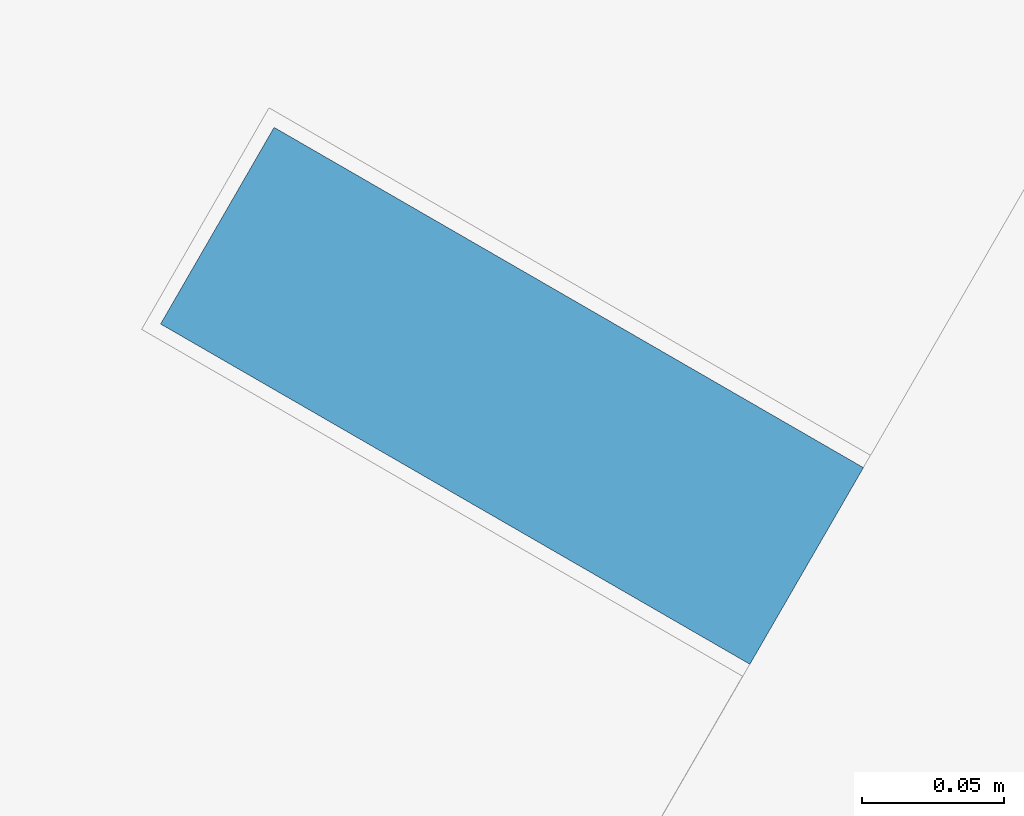
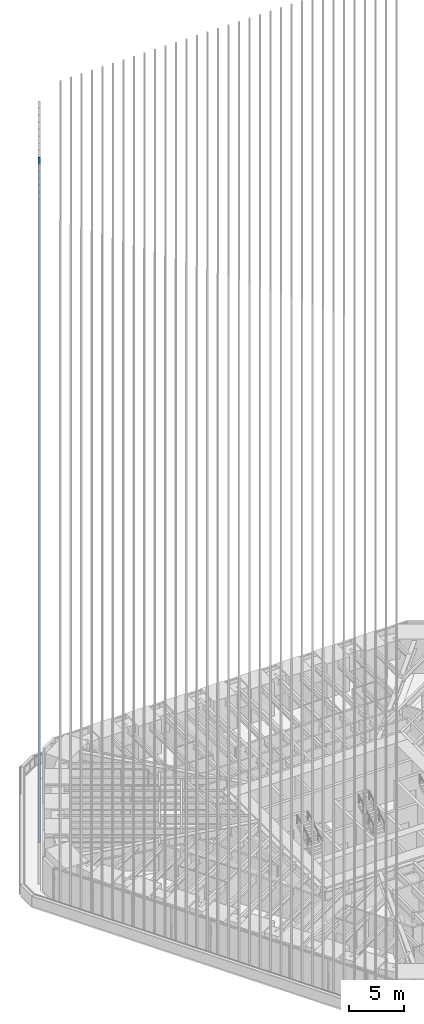
# One storey, part 134 of 238: 1 member, 1 element without a shape of its own.
"""IFC4 building model written with IfcOpenShell, lengths in metres."""

from ifc_helpers import new_model, si_unit, direction, frame, origin, origin_2d, place, context, subcontext, project, spatial, rectangle, extrude, material, material_profile, profile_set, type_object, element, aggregate, save


model = new_model("IFC4")

# Units and contexts
model_context = context("Model", 3, precision=1e-05, world=origin(), true_north=direction((0.0, 1.0)))
body_context = subcontext(model_context, "Body", "Model", "MODEL_VIEW")
ifc_project = project(units=[si_unit("LENGTHUNIT", "METRE"), si_unit("AREAUNIT", "SQUARE_METRE"), si_unit("VOLUMEUNIT", "CUBIC_METRE"), si_unit("PLANEANGLEUNIT", "RADIAN"), si_unit("MASSUNIT", "GRAM", prefix="KILO")], contexts=[model_context])

# Site, building, storey
site_placement = place(None, origin())
site = spatial("IfcSite", under=ifc_project, at=site_placement, CompositionType="ELEMENT")
building_placement = place(site_placement, origin())
building = spatial("IfcBuilding", under=site, at=building_placement, Name="Sandreach Pilgrim Tower", CompositionType="ELEMENT")
storey_placement = place(building_placement, frame((0.0, 0.0, 96.800048828125)))
storey = spatial("IfcBuildingStorey", under=building, at=storey_placement, Name="L23", CompositionType="ELEMENT", Elevation=96.800048828125)

# Curtain wall, member
ifc_material_1 = material(Name="Aluminium framed curtain wall", Category="aluminium")
curtain_wall_type = type_object("IfcCurtainWallType", Name="Hotel tower curtain wall", PredefinedType="NOTDEFINED", material=ifc_material_1)
curtain_wall_placement = place(storey_placement, origin())
curtain_wall = element("IfcCurtainWall", 1, at=curtain_wall_placement, inside=storey, type_object=curtain_wall_type, Name="CW-2 L23 NW", PredefinedType="NOTDEFINED")
ifc_material_2 = material(Name="Extruded terracotta on aluminium core", Category="masonry")
ifc_material_profile = material_profile(ifc_material_2, rectangle(XDim=0.080078125, YDim=0.239990234375, at=origin_2d()), Name="TBW 80X240")
ifc_profile_set = profile_set([ifc_material_profile], Name="Extruded terracotta on aluminium core")
member_type = type_object("IfcMemberType", Name="Terracotta baguette west", PredefinedType="USERDEFINED", material=ifc_profile_set)
member_placement = place(storey_placement, frame((-25.332275390625, 13.34765625, 0.0), z_axis=(0.0, 0.0, 1.0), x_axis=(0.5, 0.866025403784, 0.0)))
member = element("IfcMember", 2, at=member_placement, type_object=member_type, Name="Baguette Z2 NW07", ObjectType="BAGUETTE", PredefinedType="USERDEFINED", context=body_context, shape_type="SweptSolid", body=[
    extrude(rectangle(XDim=0.080078125, YDim=0.239990234375, at=origin_2d()), origin(), (0.0, 0.0, 1.0), 75.83984375),
])
aggregate(curtain_wall, [member])

save(model, "model.ifc")
